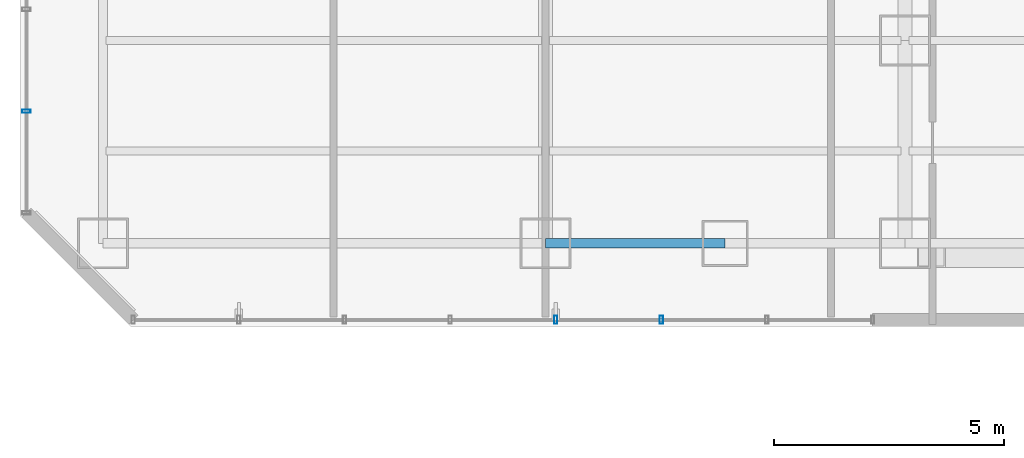
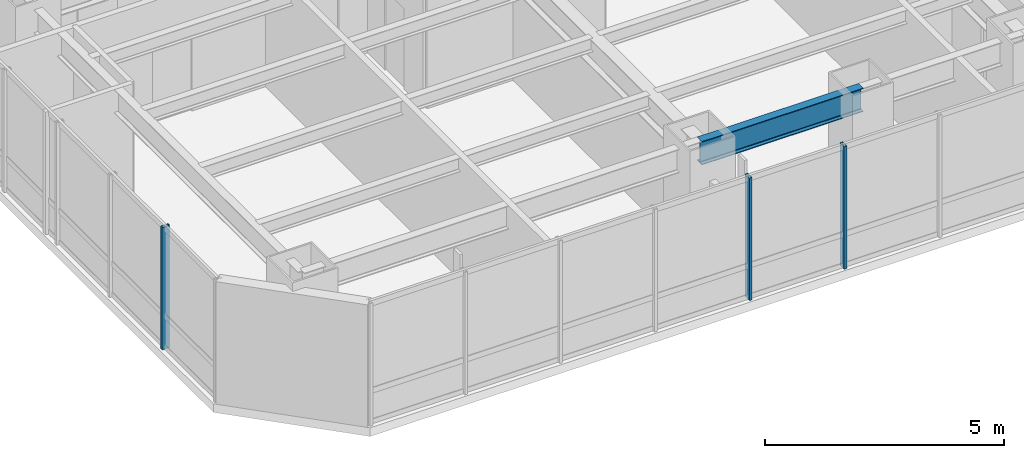
# One storey, part 4 of 32: 3 members, 1 beam, 2 elements without a shape of their own.
"""IFC4 building model written with IfcOpenShell, lengths in metres."""

from ifc_helpers import new_model, si_unit, direction, frame, origin, origin_2d, place, context, subcontext, project, spatial, hollow_rectangle, i_section, extrude, material, layer, layer_set, material_profile, profile_set, type_object, element, aggregate, save


model = new_model("IFC4")

# Units and contexts
model_context = context("Model", 3, precision=1e-05, world=origin(), true_north=direction((0.0, 1.0)))
body_context = subcontext(model_context, "Body", "Model", "MODEL_VIEW")
ifc_project = project(units=[si_unit("LENGTHUNIT", "METRE"), si_unit("AREAUNIT", "SQUARE_METRE"), si_unit("VOLUMEUNIT", "CUBIC_METRE"), si_unit("PLANEANGLEUNIT", "RADIAN"), si_unit("MASSUNIT", "GRAM", prefix="KILO")], contexts=[model_context])

# Site, building, storey
site_placement = place(None, origin())
site = spatial("IfcSite", under=ifc_project, at=site_placement, CompositionType="ELEMENT")
building_placement = place(site_placement, origin())
building = spatial("IfcBuilding", under=site, at=building_placement, Name="Hatsunagi Terrace Concourse", CompositionType="ELEMENT")
storey_placement = place(building_placement, frame((0.0, 0.0, 46.64990234375)))
storey = spatial("IfcBuildingStorey", under=building, at=storey_placement, Name="L11", CompositionType="ELEMENT", Elevation=46.64990234375)

# Curtain wall, members
ifc_material_1 = material(Name="Anodised Aluminium Alloy 6063-T5", Category="aluminium")
ifc_layer = layer(ifc_material_1, 0.199951171875)
ifc_layer_set = layer_set([ifc_layer], Name="HotelFacade_CW02")
curtain_wall_type = type_object("IfcCurtainWallType", Name="HotelFacade_CW02", PredefinedType="NOTDEFINED", material=ifc_layer_set)
curtain_wall_1_placement = place(storey_placement, origin())
curtain_wall_1 = element("IfcCurtainWall", 1, at=curtain_wall_1_placement, inside=storey, type_object=curtain_wall_type, Name="Unitised Curtain Wall CW-02 CW-L11-07", PredefinedType="NOTDEFINED")
ifc_material_2 = material(Name="Anodised Aluminium Alloy 6063-T5", Category="aluminium")
ifc_material_profile_1 = material_profile(ifc_material_2, hollow_rectangle(XDim=0.070068359375, YDim=0.179931640625, WallThickness=0.00390625, at=origin_2d()), Name="ALU-MUL-180x70x4")
ifc_profile_set_1 = profile_set([ifc_material_profile_1], Name="Anodised Aluminium Alloy 6063-T5")
member_type = type_object("IfcMemberType", Name="CurtainWallMullion_180x70", PredefinedType="MULLION", material=ifc_profile_set_1)
member_1_placement = place(storey_placement, frame((13.9169921875, 23.5400390625, 0.0), z_axis=(0.0, 0.0, 1.0), x_axis=(-1.0, 0.0, 0.0)))
member_1 = element("IfcMember", 2, at=member_1_placement, type_object=member_type, Name="Curtain Wall Mullion MUL-02", PredefinedType="MULLION", context=body_context, shape_type="SweptSolid", body=[
    extrude(hollow_rectangle(XDim=0.070068359375, YDim=0.179931640625, WallThickness=0.00390625, at=origin_2d()), origin(), (0.0, 0.0, 1.0), 3.130126953125),
])
member_2_placement = place(storey_placement, frame((11.625, 23.5400390625, 0.0), z_axis=(0.0, 0.0, 1.0), x_axis=(-1.0, 0.0, 0.0)))
member_2 = element("IfcMember", 3, at=member_2_placement, type_object=member_type, Name="Curtain Wall Mullion MUL-02", PredefinedType="MULLION", context=body_context, shape_type="SweptSolid", body=[
    extrude(hollow_rectangle(XDim=0.070068359375, YDim=0.179931640625, WallThickness=0.00390625, at=origin_2d()), origin(), (0.0, 0.0, 1.0), 3.130126953125),
])
aggregate(curtain_wall_1, [member_1, member_2])

# Curtain wall, member
curtain_wall_2_placement = place(storey_placement, origin())
curtain_wall_2 = element("IfcCurtainWall", 4, at=curtain_wall_2_placement, inside=storey, type_object=curtain_wall_type, Name="Unitised Curtain Wall CW-02 CW-L11-09", PredefinedType="NOTDEFINED")
member_3_placement = place(storey_placement, frame((0.139892578125, 28.06591796875, 0.0), z_axis=(0.0, 0.0, 1.0), x_axis=(0.0, 1.0, 0.0)))
member_3 = element("IfcMember", 5, at=member_3_placement, type_object=member_type, Name="Curtain Wall Mullion MUL-02", PredefinedType="MULLION", context=body_context, shape_type="SweptSolid", body=[
    extrude(hollow_rectangle(XDim=0.070068359375, YDim=0.179931640625, WallThickness=0.00390625, at=origin_2d()), origin(), (0.0, 0.0, 1.0), 3.130126953125),
])
aggregate(curtain_wall_2, [member_3])

# Beam
ifc_material_3 = material(Name="Steel SN490B", Category="steel")
ifc_material_profile_2 = material_profile(ifc_material_3, i_section(OverallWidth=0.199951171875, OverallDepth=0.60009765625, WebThickness=0.010986328125, FlangeThickness=0.01708984375, FilletRadius=0.01806640625, at=origin_2d()), Name="H-600x200x11x17")
ifc_profile_set_2 = profile_set([ifc_material_profile_2], Name="Steel SN490B")
beam_type = type_object("IfcBeamType", Name="PerimeterSpandrel_H_600x200", PredefinedType="SPANDREL", material=ifc_profile_set_2)
beam_placement = place(storey_placement, frame((11.39990234375, 25.199951171875, 2.830078125), z_axis=(1.0, 0.0, 0.0), x_axis=(0.0, 1.0, 0.0)))
element("IfcBeam", 6, at=beam_placement, inside=storey, type_object=beam_type, Name="Beam SP-01 BM-L11-WS-11", PredefinedType="SPANDREL", context=body_context, shape_type="SweptSolid", body=[
    extrude(i_section(OverallWidth=0.199951171875, OverallDepth=0.60009765625, WebThickness=0.010986328125, FlangeThickness=0.01708984375, FilletRadius=0.01806640625, at=origin_2d()), origin(), (0.0, 0.0, 1.0), 3.900146484375),
])

save(model, "model.ifc")
